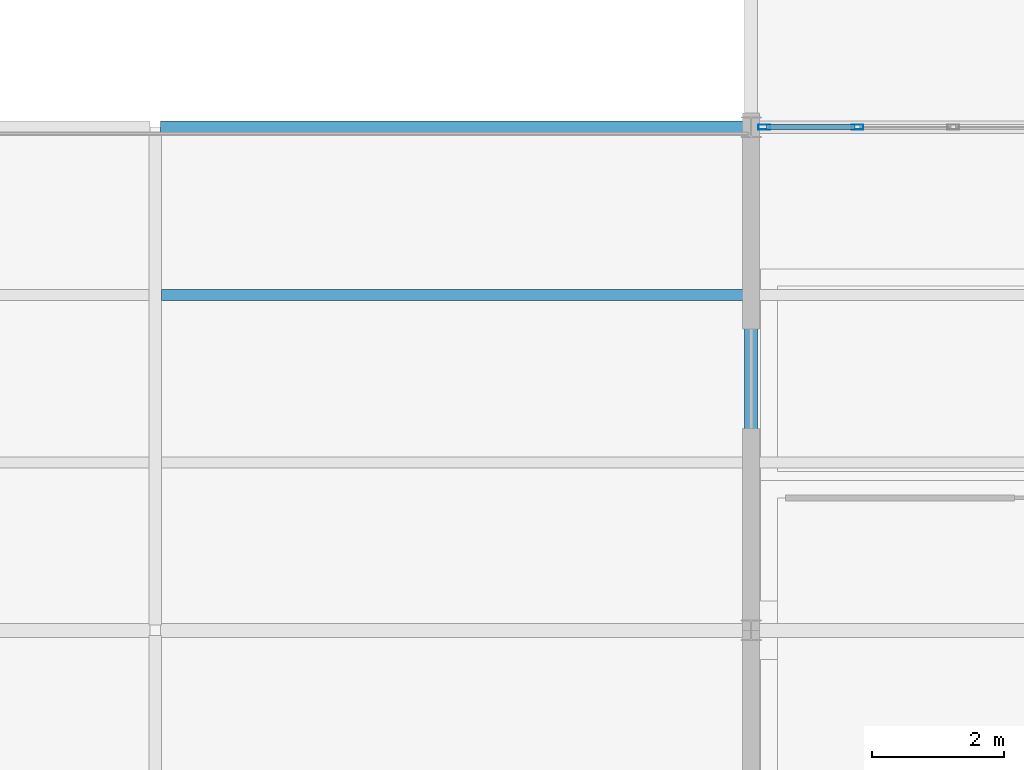
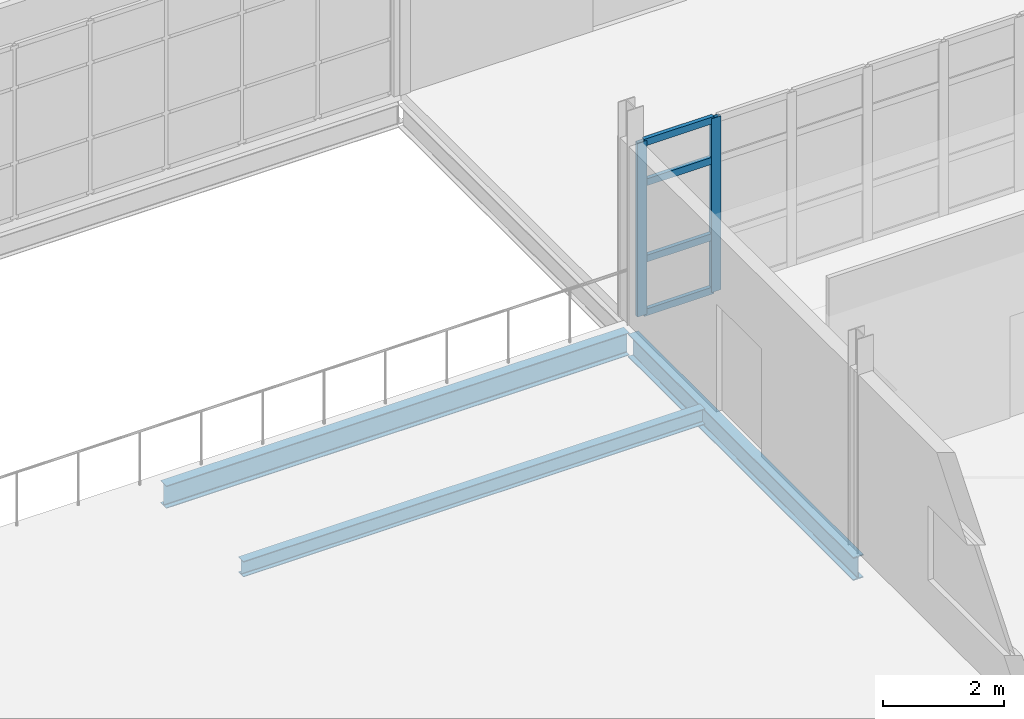
# One storey, part 33 of 166: 6 members, 3 beams, 1 element without a shape of its own.
"""IFC4 building model written with IfcOpenShell, lengths in metres."""

from ifc_helpers import new_model, si_unit, direction, frame, origin, origin_2d, place, context, subcontext, project, spatial, hollow_rectangle, i_section, extrude, material, material_profile, profile_set, type_object, element, aggregate, save


model = new_model("IFC4")

# Units and contexts
model_context = context("Model", 3, precision=1e-05, world=origin(), true_north=direction((0.0, 1.0)))
body_context = subcontext(model_context, "Body", "Model", "MODEL_VIEW")
ifc_project = project(units=[si_unit("LENGTHUNIT", "METRE"), si_unit("AREAUNIT", "SQUARE_METRE"), si_unit("VOLUMEUNIT", "CUBIC_METRE"), si_unit("PLANEANGLEUNIT", "RADIAN"), si_unit("MASSUNIT", "GRAM", prefix="KILO")], contexts=[model_context])

# Site, building, storey
site_placement = place(None, origin())
site = spatial("IfcSite", under=ifc_project, at=site_placement, CompositionType="ELEMENT")
building_placement = place(site_placement, origin())
building = spatial("IfcBuilding", under=site, at=building_placement, Name="Caisbarro Railhouse Central Library", CompositionType="ELEMENT")
storey_placement = place(building_placement, frame((0.0, 0.0, 9.360107421875)))
storey = spatial("IfcBuildingStorey", under=building, at=storey_placement, Name="L02", CompositionType="ELEMENT", Elevation=9.360107421875)

# Beams
ifc_material_1 = material(Name="Steel ASTM A572 Grade 50", Category="steel")
ifc_material_profile_1 = material_profile(ifc_material_1, i_section(OverallWidth=0.194091796875, OverallDepth=0.468994140625, WebThickness=0.0126953125, FlangeThickness=0.0205078125, FilletRadius=0.01806640625, at=origin_2d()), Name="W460X106.0")
ifc_profile_set_1 = profile_set([ifc_material_profile_1], Name="Steel ASTM A572 Grade 50")
beam_type_1 = type_object("IfcBeamType", Name="BM-G07", PredefinedType="BEAM", material=ifc_profile_set_1)
beam_1_placement = place(storey_placement, frame((54.0, 15.280029296875, -0.474609375), z_axis=(0.0, 1.0, 0.0), x_axis=(-1.0, 0.0, 0.0)))
element("IfcBeam", 1, at=beam_1_placement, inside=storey, type_object=beam_type_1, Name="G07 beam L02 #1304", PredefinedType="BEAM", context=body_context, shape_type="SweptSolid", body=[
    extrude(i_section(OverallWidth=0.194091796875, OverallDepth=0.468994140625, WebThickness=0.0126953125, FlangeThickness=0.0205078125, FilletRadius=0.01806640625, at=origin_2d()), origin(), (0.0, 0.0, 1.0), 7.43994140625),
])
ifc_material_profile_2 = material_profile(ifc_material_1, i_section(OverallWidth=0.1669921875, OverallDepth=0.31689453125, WebThickness=0.007568359375, FlangeThickness=0.01318359375, FilletRadius=0.011962890625, at=origin_2d()), Name="W310X52.0")
ifc_profile_set_2 = profile_set([ifc_material_profile_2], Name="Steel ASTM A572 Grade 50")
beam_type_2 = type_object("IfcBeamType", Name="BM-J02", PredefinedType="JOIST", material=ifc_profile_set_2)
beam_2_placement = place(storey_placement, frame((45.096923828125, 20.2666015625, -0.36865234375), z_axis=(1.0, 0.0, 0.0), x_axis=(0.0, 1.0, 0.0)))
element("IfcBeam", 2, at=beam_2_placement, inside=storey, type_object=beam_type_2, Name="J02 beam L02 #1608", PredefinedType="JOIST", context=body_context, shape_type="SweptSolid", body=[
    extrude(i_section(OverallWidth=0.1669921875, OverallDepth=0.31689453125, WebThickness=0.007568359375, FlangeThickness=0.01318359375, FilletRadius=0.011962890625, at=origin_2d()), origin(), (0.0, 0.0, 1.0), 8.80615234375),
])
ifc_material_profile_3 = material_profile(ifc_material_1, i_section(OverallWidth=0.18994140625, OverallDepth=0.45703125, WebThickness=0.009033203125, FlangeThickness=0.014404296875, FilletRadius=0.01806640625, at=origin_2d()), Name="W460X74.0")
ifc_profile_set_3 = profile_set([ifc_material_profile_3], Name="Steel ASTM A572 Grade 50")
beam_type_3 = type_object("IfcBeamType", Name="BM-SP01", PredefinedType="SPANDREL", material=ifc_profile_set_3)
beam_3_placement = place(storey_placement, frame((45.080078125, 22.800048828125, -0.438720703125), z_axis=(1.0, 0.0, 0.0), x_axis=(0.0, 1.0, 0.0)))
element("IfcBeam", 3, at=beam_3_placement, inside=storey, type_object=beam_type_3, Name="SP01 beam L02 #1590", PredefinedType="SPANDREL", context=body_context, shape_type="SweptSolid", body=[
    extrude(i_section(OverallWidth=0.18994140625, OverallDepth=0.45703125, WebThickness=0.009033203125, FlangeThickness=0.014404296875, FilletRadius=0.01806640625, at=origin_2d()), origin(), (0.0, 0.0, 1.0), 8.83984375),
])

# Curtain wall, members
ifc_material_2 = material(Name="Anodised architectural aluminium", Category="aluminium")
curtain_wall_type = type_object("IfcCurtainWallType", Name="CW-CW02", PredefinedType="NOTDEFINED", material=ifc_material_2)
curtain_wall_placement = place(storey_placement, origin())
curtain_wall = element("IfcCurtainWall", 4, at=curtain_wall_placement, inside=storey, type_object=curtain_wall_type, Name="CW02 curtain wall L02 #58", PredefinedType="NOTDEFINED")
ifc_material_profile_4 = material_profile(ifc_material_2, hollow_rectangle(XDim=0.074951171875, YDim=0.179931640625, WallThickness=0.00439453125, at=origin_2d()), Name="ALU-MUL-75X180")
ifc_profile_set_4 = profile_set([ifc_material_profile_4], Name="Anodised architectural aluminium")
member_type_1 = type_object("IfcMemberType", Name="CWM-M01", PredefinedType="MULLION", material=ifc_profile_set_4)
member_1_placement = place(storey_placement, frame((54.197509765625, 22.800048828125, 0.0), z_axis=(0.0, 0.0, 1.0), x_axis=(0.0, 1.0, 0.0)))
member_1 = element("IfcMember", 5, at=member_1_placement, type_object=member_type_1, Name="CW02 mullion 1", PredefinedType="MULLION", context=body_context, shape_type="SweptSolid", body=[
    extrude(hollow_rectangle(XDim=0.074951171875, YDim=0.179931640625, WallThickness=0.00439453125, at=origin_2d()), origin(), (0.0, 0.0, 1.0), 3.510009765625),
])
member_2_placement = place(storey_placement, frame((55.606689453125, 22.800048828125, 0.0), z_axis=(0.0, 0.0, 1.0), x_axis=(0.0, 1.0, 0.0)))
member_2 = element("IfcMember", 6, at=member_2_placement, type_object=member_type_1, Name="CW02 mullion 2", PredefinedType="MULLION", context=body_context, shape_type="SweptSolid", body=[
    extrude(hollow_rectangle(XDim=0.074951171875, YDim=0.179931640625, WallThickness=0.00439453125, at=origin_2d()), origin(), (0.0, 0.0, 1.0), 3.510009765625),
])
ifc_material_profile_5 = material_profile(ifc_material_2, hollow_rectangle(XDim=0.074951171875, YDim=0.139892578125, WallThickness=0.00390625, at=origin_2d()), Name="ALU-TRN-75X140")
ifc_profile_set_5 = profile_set([ifc_material_profile_5], Name="Anodised architectural aluminium")
member_type_2 = type_object("IfcMemberType", Name="CWT-T01", PredefinedType="USERDEFINED", material=ifc_profile_set_5)
member_3_placement = place(storey_placement, frame((54.235107421875, 22.800048828125, 0.037353515625), z_axis=(1.0, 0.0, 0.0), x_axis=(0.0, 1.0, 0.0)))
member_3 = element("IfcMember", 7, at=member_3_placement, type_object=member_type_2, Name="CW02 transom 1.1", ObjectType="TRANSOM", PredefinedType="USERDEFINED", context=body_context, shape_type="SweptSolid", body=[
    extrude(hollow_rectangle(XDim=0.074951171875, YDim=0.139892578125, WallThickness=0.00390625, at=origin_2d()), origin(), (0.0, 0.0, 1.0), 1.333984375),
])
member_4_placement = place(storey_placement, frame((54.235107421875, 22.800048828125, 1.119873046875), z_axis=(1.0, 0.0, 0.0), x_axis=(0.0, 1.0, 0.0)))
member_4 = element("IfcMember", 8, at=member_4_placement, type_object=member_type_2, Name="CW02 transom 1.2", ObjectType="TRANSOM", PredefinedType="USERDEFINED", context=body_context, shape_type="SweptSolid", body=[
    extrude(hollow_rectangle(XDim=0.074951171875, YDim=0.139892578125, WallThickness=0.00390625, at=origin_2d()), origin(), (0.0, 0.0, 1.0), 1.333984375),
])
member_5_placement = place(storey_placement, frame((54.235107421875, 22.800048828125, 2.659912109375), z_axis=(1.0, 0.0, 0.0), x_axis=(0.0, 1.0, 0.0)))
member_5 = element("IfcMember", 9, at=member_5_placement, type_object=member_type_2, Name="CW02 transom 1.3", ObjectType="TRANSOM", PredefinedType="USERDEFINED", context=body_context, shape_type="SweptSolid", body=[
    extrude(hollow_rectangle(XDim=0.074951171875, YDim=0.139892578125, WallThickness=0.00390625, at=origin_2d()), origin(), (0.0, 0.0, 1.0), 1.333984375),
])
member_6_placement = place(storey_placement, frame((54.235107421875, 22.800048828125, 3.472412109375), z_axis=(1.0, 0.0, 0.0), x_axis=(0.0, 1.0, 0.0)))
member_6 = element("IfcMember", 10, at=member_6_placement, type_object=member_type_2, Name="CW02 transom 1.4", ObjectType="TRANSOM", PredefinedType="USERDEFINED", context=body_context, shape_type="SweptSolid", body=[
    extrude(hollow_rectangle(XDim=0.074951171875, YDim=0.139892578125, WallThickness=0.00390625, at=origin_2d()), origin(), (0.0, 0.0, 1.0), 1.333984375),
])
aggregate(curtain_wall, [member_1, member_2, member_3, member_4, member_5, member_6])

save(model, "model.ifc")
